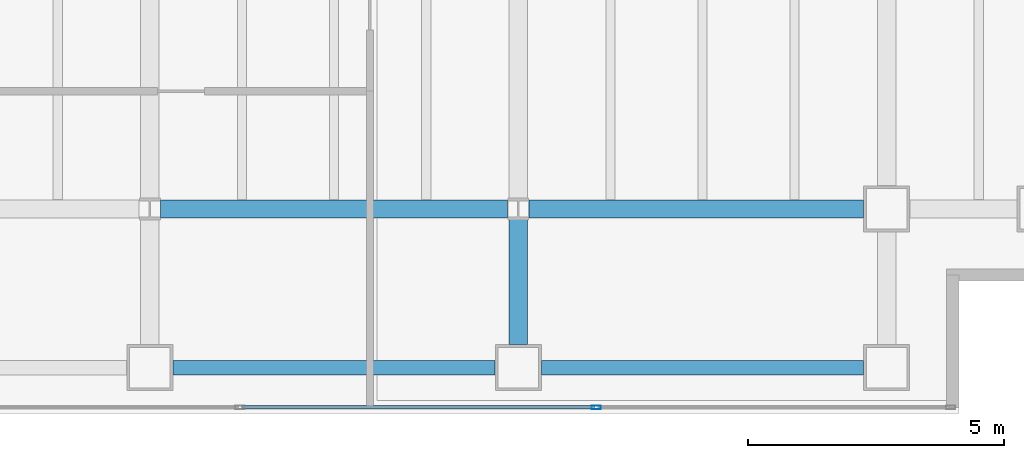
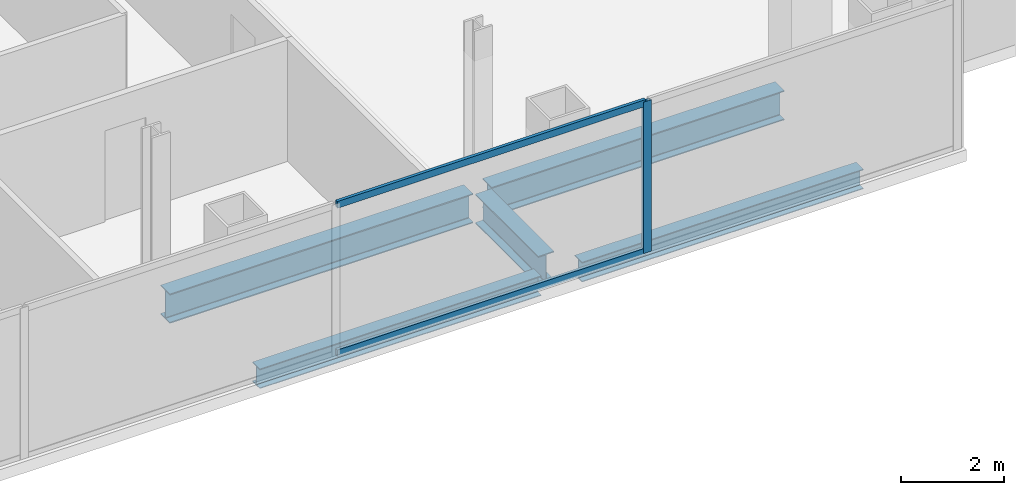
# One storey, part 9 of 23: 5 beams, 3 members, 1 element without a shape of its own.
"""IFC4 building model written with IfcOpenShell, lengths in metres."""

from ifc_helpers import new_model, si_unit, direction, frame, origin, origin_2d, place, context, subcontext, project, spatial, hollow_rectangle, i_section, extrude, material, material_profile, profile_set, type_object, element, aggregate, save


model = new_model("IFC4")

# Units and contexts
model_context = context("Model", 3, precision=1e-05, world=origin(), true_north=direction((0.0, 1.0)))
body_context = subcontext(model_context, "Body", "Model", "MODEL_VIEW")
ifc_project = project(units=[si_unit("LENGTHUNIT", "METRE"), si_unit("AREAUNIT", "SQUARE_METRE"), si_unit("VOLUMEUNIT", "CUBIC_METRE"), si_unit("PLANEANGLEUNIT", "RADIAN"), si_unit("MASSUNIT", "GRAM", prefix="KILO")], contexts=[model_context])

# Site, building, storey
site_placement = place(None, origin())
site = spatial("IfcSite", under=ifc_project, at=site_placement, CompositionType="ELEMENT")
building_placement = place(site_placement, origin())
building = spatial("IfcBuilding", under=site, at=building_placement, Name="Cobrela Telecom Tower", CompositionType="ELEMENT")
storey_placement = place(building_placement, frame((0.0, 0.0, 140.699951171875)))
storey = spatial("IfcBuildingStorey", under=building, at=storey_placement, Name="L35", CompositionType="ELEMENT", Elevation=140.699951171875)

# Beams
ifc_material_1 = material(Name="Steel ASTM A992 Grade 50", Category="steel")
ifc_material_profile_1 = material_profile(ifc_material_1, i_section(OverallWidth=0.35595703125, OverallDepth=0.696044921875, WebThickness=0.015380859375, FlangeThickness=0.024658203125, FilletRadius=0.01806640625, at=origin_2d()), Name="W27X146")
ifc_profile_set_1 = profile_set([ifc_material_profile_1], Name="Steel ASTM A992 Grade 50")
beam_type_1 = type_object("IfcBeamType", Name="BM-GIRD-05", PredefinedType="USERDEFINED", material=ifc_profile_set_1)
beam_1_placement = place(storey_placement, frame((29.009521484375, 7.199951171875, -0.617919921875), z_axis=(1.0, 0.0, 0.0), x_axis=(0.0, 1.0, 0.0)))
element("IfcBeam", 1, at=beam_1_placement, inside=storey, type_object=beam_type_1, Name="L35 Primary Girder X10", ObjectType="GIRDER", PredefinedType="USERDEFINED", context=body_context, shape_type="SweptSolid", body=[
    extrude(i_section(OverallWidth=0.35595703125, OverallDepth=0.696044921875, WebThickness=0.015380859375, FlangeThickness=0.024658203125, FilletRadius=0.01806640625, at=origin_2d()), origin(), (0.0, 0.0, 1.0), 6.781005859375),
])
beam_2_placement = place(storey_placement, frame((36.20947265625, 7.199951171875, -0.617919921875), z_axis=(1.0, 0.0, 0.0), x_axis=(0.0, 1.0, 0.0)))
element("IfcBeam", 2, at=beam_2_placement, inside=storey, type_object=beam_type_1, Name="L35 Primary Girder X11", ObjectType="GIRDER", PredefinedType="USERDEFINED", context=body_context, shape_type="SweptSolid", body=[
    extrude(i_section(OverallWidth=0.35595703125, OverallDepth=0.696044921875, WebThickness=0.015380859375, FlangeThickness=0.024658203125, FilletRadius=0.01806640625, at=origin_2d()), origin(), (0.0, 0.0, 1.0), 6.53564453125),
])
beam_3_placement = place(storey_placement, frame((36.0, 4.554931640625, -0.617919921875), z_axis=(0.0, 1.0, 0.0), x_axis=(-1.0, 0.0, 0.0)))
element("IfcBeam", 3, at=beam_3_placement, inside=storey, type_object=beam_type_1, Name="L35 Primary Girder Y49", ObjectType="GIRDER", PredefinedType="USERDEFINED", context=body_context, shape_type="SweptSolid", body=[
    extrude(i_section(OverallWidth=0.35595703125, OverallDepth=0.696044921875, WebThickness=0.015380859375, FlangeThickness=0.024658203125, FilletRadius=0.01806640625, at=origin_2d()), origin(), (0.0, 0.0, 1.0), 2.435546875),
])
ifc_material_profile_2 = material_profile(ifc_material_1, i_section(OverallWidth=0.281982421875, OverallDepth=0.467041015625, WebThickness=0.01220703125, FlangeThickness=0.01953125, FilletRadius=0.012939453125, at=origin_2d()), Name="W18X86")
ifc_profile_set_2 = profile_set([ifc_material_profile_2], Name="Steel ASTM A992 Grade 50")
beam_type_2 = type_object("IfcBeamType", Name="BM-SPAND-04", PredefinedType="SPANDREL", material=ifc_profile_set_2)
for number, where, z_axis, x_axis, name in (
    (4, (29.2548828125, 4.10009765625, -0.50341796875), (1.0, 0.0, 0.0), (0.0, 1.0, 0.0), "L35 Perimeter Spandrel X04"),
    (5, (36.455078125, 4.10009765625, -0.50341796875), (1.0, 0.0, 0.0), (0.0, 1.0, 0.0), "L35 Perimeter Spandrel X05"),
):
    element("IfcBeam", number, at=place(storey_placement, frame(where, z_axis=z_axis, x_axis=x_axis)), inside=storey, type_object=beam_type_2, Name=name, PredefinedType="SPANDREL", context=body_context, shape_type="SweptSolid", body=[
        extrude(i_section(OverallWidth=0.281982421875, OverallDepth=0.467041015625, WebThickness=0.01220703125, FlangeThickness=0.01953125, FilletRadius=0.012939453125, at=origin_2d()), origin(), (0.0, 0.0, 1.0), 6.2900390625),
    ])

# Curtain wall, members
ifc_material_2 = material(Name="Anodized Bronze Aluminium 6063-T6", Category="aluminium")
curtain_wall_type = type_object("IfcCurtainWallType", Name="CW-SYS-TEL", PredefinedType="USERDEFINED", material=ifc_material_2)
curtain_wall_placement = place(storey_placement, origin())
curtain_wall = element("IfcCurtainWall", 6, at=curtain_wall_placement, inside=storey, type_object=curtain_wall_type, Name="L35 Unitised Bronze Curtain Wall 17", ObjectType="UNITISED CURTAIN WALL", PredefinedType="USERDEFINED")
ifc_material_profile_3 = material_profile(ifc_material_2, hollow_rectangle(XDim=0.074951171875, YDim=0.179931640625, WallThickness=0.00390625, at=origin_2d()), Name="ALU 75x180x4")
ifc_profile_set_3 = profile_set([ifc_material_profile_3], Name="Anodized Bronze Aluminium 6063-T6")
member_type_1 = type_object("IfcMemberType", Name="CW-SYS-TEL-MUL", PredefinedType="MULLION", material=ifc_profile_set_3)
member_1_placement = place(storey_placement, frame((37.526611328125, 3.320068359375, 0.0), z_axis=(0.0, 0.0, 1.0), x_axis=(0.0, -1.0, 0.0)))
member_1 = element("IfcMember", 7, at=member_1_placement, type_object=member_type_1, Name="CW-TEL mullion 2", PredefinedType="MULLION", context=body_context, shape_type="SweptSolid", body=[
    extrude(hollow_rectangle(XDim=0.074951171875, YDim=0.179931640625, WallThickness=0.00390625, at=origin_2d()), origin(), (0.0, 0.0, 1.0), 3.580078125),
])
ifc_material_profile_4 = material_profile(ifc_material_2, hollow_rectangle(XDim=0.070068359375, YDim=0.159912109375, WallThickness=0.00390625, at=origin_2d()), Name="ALU 70x160x4")
ifc_profile_set_4 = profile_set([ifc_material_profile_4], Name="Anodized Bronze Aluminium 6063-T6")
member_type_2 = type_object("IfcMemberType", Name="CW-SYS-TEL-TRN", PredefinedType="USERDEFINED", material=ifc_profile_set_4)
member_2_placement = place(storey_placement, frame((37.4892578125, 3.320068359375, 0.03515625), z_axis=(-1.0, 0.0, 0.0), x_axis=(0.0, -1.0, 0.0)))
member_2 = element("IfcMember", 8, at=member_2_placement, type_object=member_type_2, Name="CW-TEL transom 2.1", ObjectType="TRANSOM", PredefinedType="USERDEFINED", context=body_context, shape_type="SweptSolid", body=[
    extrude(hollow_rectangle(XDim=0.070068359375, YDim=0.159912109375, WallThickness=0.00390625, at=origin_2d()), origin(), (0.0, 0.0, 1.0), 6.888427734375),
])
member_3_placement = place(storey_placement, frame((37.4892578125, 3.320068359375, 3.545166015625), z_axis=(-1.0, 0.0, 0.0), x_axis=(0.0, -1.0, 0.0)))
member_3 = element("IfcMember", 9, at=member_3_placement, type_object=member_type_2, Name="CW-TEL transom 2.2", ObjectType="TRANSOM", PredefinedType="USERDEFINED", context=body_context, shape_type="SweptSolid", body=[
    extrude(hollow_rectangle(XDim=0.070068359375, YDim=0.159912109375, WallThickness=0.00390625, at=origin_2d()), origin(), (0.0, 0.0, 1.0), 6.888427734375),
])
aggregate(curtain_wall, [member_1, member_2, member_3])

save(model, "model.ifc")
